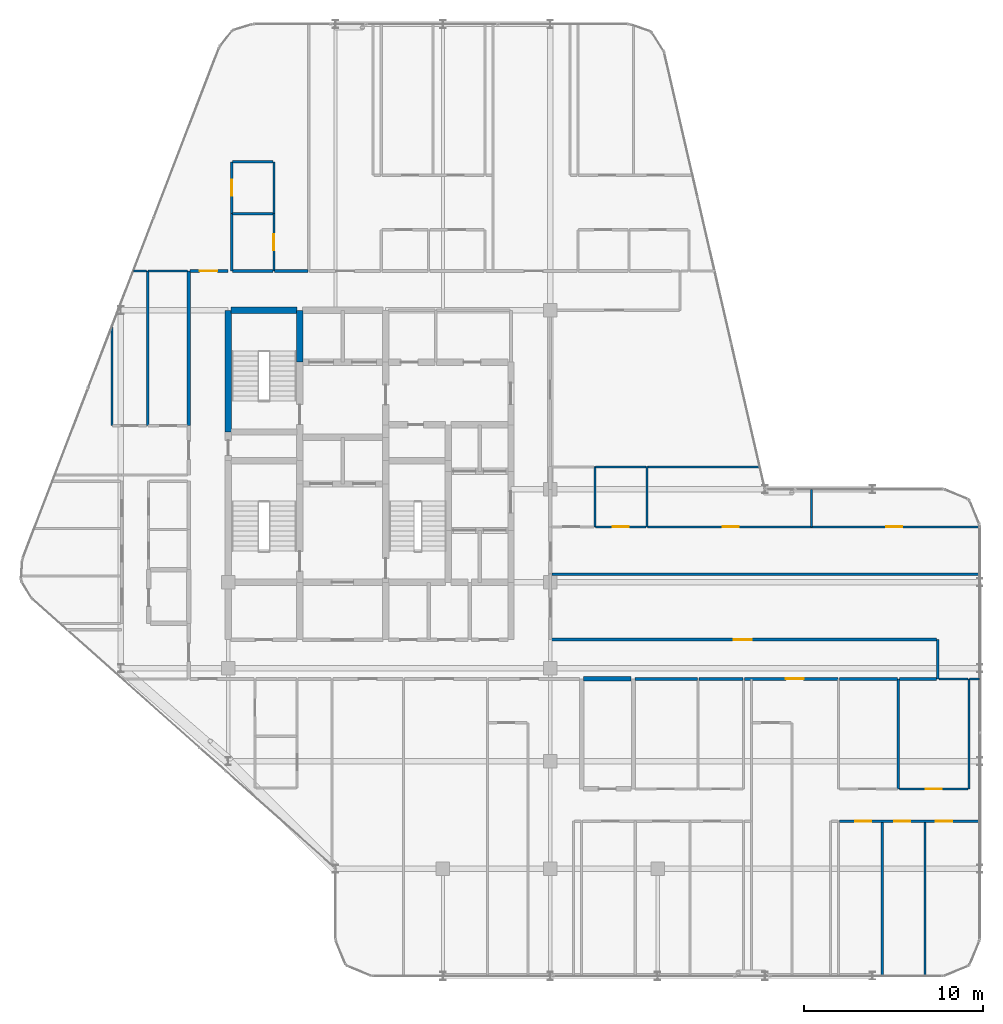
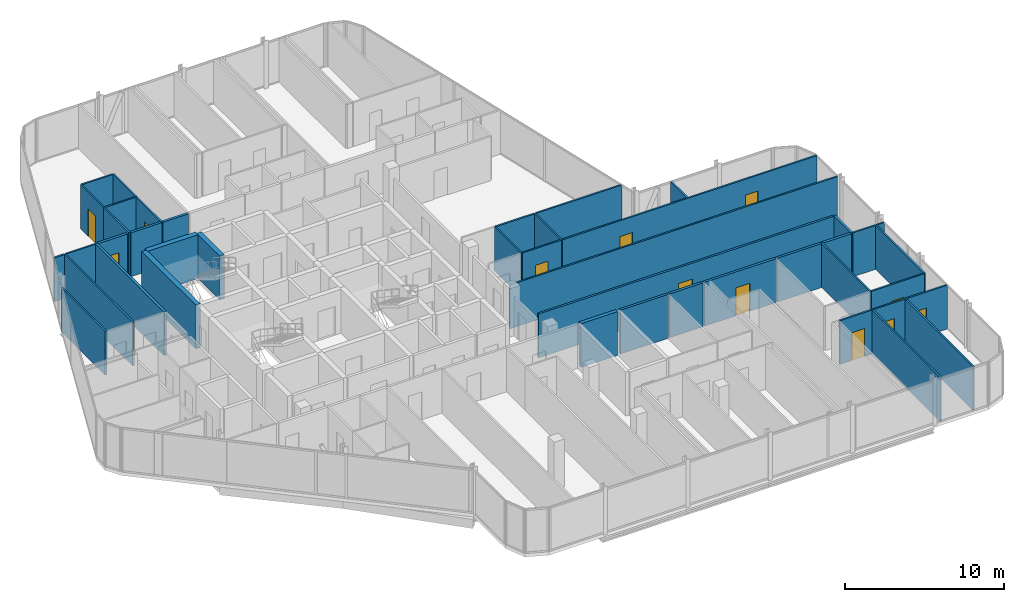
# One storey, part 26 of 29: 41 walls, 12 doors, 12 openings.
"""IFC4 building model written with IfcOpenShell, lengths in metres."""

from ifc_helpers import new_model, si_unit, direction, frame, frame_2d, origin, place, context, subcontext, project, spatial, rectangle, extrude, material, layer, layer_set, type_object, element, fill, save


model = new_model("IFC4")

# Units and contexts
model_context = context("Model", 3, precision=1e-05, world=origin(), true_north=direction((0.0, 1.0)))
body_context = subcontext(model_context, "Body", "Model", "MODEL_VIEW")
ifc_project = project(units=[si_unit("LENGTHUNIT", "METRE"), si_unit("AREAUNIT", "SQUARE_METRE"), si_unit("VOLUMEUNIT", "CUBIC_METRE"), si_unit("PLANEANGLEUNIT", "RADIAN"), si_unit("MASSUNIT", "GRAM", prefix="KILO")], contexts=[model_context])

# Site, building, storey
site_placement = place(None, origin())
site = spatial("IfcSite", under=ifc_project, at=site_placement, CompositionType="ELEMENT")
building_placement = place(site_placement, origin())
building = spatial("IfcBuilding", under=site, at=building_placement, Name="Keshet Zoharim Tower", CompositionType="ELEMENT")
storey_placement = place(building_placement, frame((0.0, 0.0, 214.300048828125)))
storey = spatial("IfcBuildingStorey", under=building, at=storey_placement, Name="L53", CompositionType="ELEMENT", Elevation=214.300048828125)

# Wall
ifc_material_1 = material(Name="Gypsum Plasterboard", Category="gypsum")
ifc_layer_1 = layer(ifc_material_1, 0.14990234375)
ifc_layer_set_1 = layer_set([ifc_layer_1], Name="Gypsum Plasterboard")
wall_type_1 = type_object("IfcWallType", Name="WL-CLIN-150", PredefinedType="STANDARD", material=ifc_layer_set_1)
wall_1_placement = place(storey_placement, frame((54.64990234375, 17.31005859375, 0.0), z_axis=(0.0, 0.0, 1.0), x_axis=(0.0, 1.0, 0.0)))
element("IfcWall", 1, at=wall_1_placement, inside=storey, type_object=wall_type_1, Name="L53 Interior Wall 101", PredefinedType="STANDARD", context=body_context, shape_type="SweptSolid", body=[
    extrude(rectangle(XDim=2.18994140625, YDim=0.14990234375, at=frame_2d((1.094970703125, 0.0))), origin(), (0.0, 0.0, 1.0), 3.3798828125),
])

# Wall, opening, door
wall_2_placement = place(storey_placement, frame((33.070068359375, 19.5, 0.0), z_axis=(0.0, 0.0, 1.0), x_axis=(1.0, 0.0, 0.0)))
wall_2 = element("IfcWall", 2, at=wall_2_placement, inside=storey, type_object=wall_type_1, Name="L53 Interior Wall 136", PredefinedType="STANDARD", context=body_context, shape_type="SweptSolid", body=[
    extrude(rectangle(XDim=21.510009765625, YDim=0.14990234375, at=frame_2d((10.7548828125, 0.0))), origin(), (0.0, 0.0, 1.0), 3.3798828125),
])
opening_1_placement = place(wall_2_placement, frame((10.18505859375, 0.0, 0.0)))
opening_1 = element("IfcOpeningElement", 3, at=opening_1_placement, cuts=wall_2, Name="Opening D-F310", PredefinedType="OPENING", context=body_context, shape_type="SweptSolid", body=[
    extrude(rectangle(XDim=1.0, YDim=2.14990234375, at=frame_2d((0.5, 1.074951171875))), frame((0.0, 0.0849609375, 0.0), z_axis=(0.0, -1.0, 0.0), x_axis=(1.0, 0.0, 0.0)), (0.0, 0.0, 1.0), 0.169921875),
])
ifc_material_2 = material(Name="Hardwood Timber", Category="wood")
door_type_1 = type_object("IfcDoorType", Name="DR-FD30-100", OperationType="NOTDEFINED", PredefinedType="DOOR", material=ifc_material_2)
door_1_placement = place(opening_1_placement, origin())
door_1 = element("IfcDoor", 4, at=door_1_placement, inside=storey, type_object=door_type_1, Name="L53 South East Residents Services Suite Door 1", OperationType="SINGLE_SWING_LEFT", OverallHeight=2.14990234375, OverallWidth=1.0, PredefinedType="DOOR", context=body_context, shape_type="SweptSolid", body=[
    extrude(rectangle(XDim=1.0, YDim=2.14990234375, at=frame_2d((0.5, 1.074951171875))), frame((0.0, 0.02490234375, 0.0), z_axis=(0.0, -1.0, 0.0), x_axis=(1.0, 0.0, 0.0)), (0.0, 0.0, 1.0), 0.050048828125),
])
fill(opening_1, door_1)

# Walls
ifc_material_3 = material(Name="Concrete C60/75", Category="concrete")
ifc_layer_2 = layer(ifc_material_3, 0.35009765625)
ifc_layer_set_2 = layer_set([ifc_layer_2], Name="Concrete C60/75")
wall_type_2 = type_object("IfcWallType", Name="WL-CORE-350", PredefinedType="SHEAR", material=ifc_layer_set_2)
wall_3_placement = place(storey_placement, frame((15.0, 31.10009765625, 0.0), z_axis=(0.0, 0.0, 1.0), x_axis=(0.0, 1.0, 0.0)))
element("IfcWall", 5, at=wall_3_placement, inside=storey, type_object=wall_type_2, Name="L53 Core Shear Wall 016", PredefinedType="SHEAR", context=body_context, shape_type="SweptSolid", body=[
    extrude(rectangle(XDim=6.7998046875, YDim=0.35009765625, at=frame_2d((3.39990234375, 0.0))), origin(), (0.0, 0.0, 1.0), 3.3798828125),
])
wall_4_placement = place(storey_placement, frame((19.0, 35.0, 0.0), z_axis=(0.0, 0.0, 1.0), x_axis=(0.0, 1.0, 0.0)))
element("IfcWall", 6, at=wall_4_placement, inside=storey, type_object=wall_type_2, Name="L53 Core Shear Wall 029", PredefinedType="SHEAR", context=body_context, shape_type="SweptSolid", body=[
    extrude(rectangle(XDim=2.89990234375, YDim=0.35009765625, at=frame_2d((1.449951171875, 0.0))), origin(), (0.0, 0.0, 1.0), 3.3798828125),
])
wall_5_placement = place(storey_placement, frame((15.159912109375, 37.89990234375, 0.0), z_axis=(0.0, 0.0, 1.0), x_axis=(1.0, 0.0, 0.0)))
element("IfcWall", 7, at=wall_5_placement, inside=storey, type_object=wall_type_2, Name="L53 Core Shear Wall 174", PredefinedType="SHEAR", context=body_context, shape_type="SweptSolid", body=[
    extrude(rectangle(XDim=3.68017578125, YDim=0.35009765625, at=frame_2d((1.840087890625, 0.0))), origin(), (0.0, 0.0, 1.0), 3.3798828125),
])
ifc_layer_3 = layer(ifc_material_1, 0.179931640625)
ifc_layer_set_3 = layer_set([ifc_layer_3], Name="Gypsum Plasterboard")
wall_type_3 = type_object("IfcWallType", Name="WL-CORR-180", PredefinedType="STANDARD", material=ifc_layer_set_3)
wall_6_placement = place(storey_placement, frame((12.800048828125, 31.449951171875, 0.0), z_axis=(0.0, 0.0, 1.0), x_axis=(0.0, 1.0, 0.0)))
element("IfcWall", 8, at=wall_6_placement, inside=storey, type_object=wall_type_3, Name="L53 Interior Wall 012", PredefinedType="STANDARD", context=body_context, shape_type="SweptSolid", body=[
    extrude(rectangle(XDim=8.650146484375, YDim=0.179931640625, at=frame_2d((4.3251953125, 0.0))), origin(), (0.0, 0.0, 1.0), 3.3798828125),
])
wall_7_placement = place(storey_placement, frame((37.740966796875, 17.300048828125, 0.0), z_axis=(0.0, 0.0, 1.0), x_axis=(1.0, 0.0, 0.0)))
element("IfcWall", 9, at=wall_7_placement, inside=storey, type_object=wall_type_3, Name="L53 Interior Wall 125", PredefinedType="STANDARD", context=body_context, shape_type="SweptSolid", body=[
    extrude(rectangle(XDim=3.487060546875, YDim=0.179931640625, at=frame_2d((1.74365234375, 0.0))), origin(), (0.0, 0.0, 1.0), 3.3798828125),
])
wall_8_placement = place(storey_placement, frame((41.318115234375, 17.300048828125, 0.0), z_axis=(0.0, 0.0, 1.0), x_axis=(1.0, 0.0, 0.0)))
element("IfcWall", 10, at=wall_8_placement, inside=storey, type_object=wall_type_3, Name="L53 Interior Wall 126", PredefinedType="STANDARD", context=body_context, shape_type="SweptSolid", body=[
    extrude(rectangle(XDim=2.44677734375, YDim=0.179931640625, at=frame_2d((1.223388671875, 0.0))), origin(), (0.0, 0.0, 1.0), 3.3798828125),
])

# Wall, opening, door
wall_9_placement = place(storey_placement, frame((43.85498046875, 17.300048828125, 0.0), z_axis=(0.0, 0.0, 1.0), x_axis=(1.0, 0.0, 0.0)))
wall_9 = element("IfcWall", 11, at=wall_9_placement, inside=storey, type_object=wall_type_3, Name="L53 Interior Wall 127", PredefinedType="STANDARD", context=body_context, shape_type="SweptSolid", body=[
    extrude(rectangle(XDim=5.2099609375, YDim=0.179931640625, at=frame_2d((2.60498046875, 0.0))), origin(), (0.0, 0.0, 1.0), 3.3798828125),
])
opening_2_placement = place(wall_9_placement, frame((2.304931640625, 0.0, 0.0)))
opening_2 = element("IfcOpeningElement", 12, at=opening_2_placement, cuts=wall_9, Name="Opening D-F310", PredefinedType="OPENING", context=body_context, shape_type="SweptSolid", body=[
    extrude(rectangle(XDim=1.0, YDim=2.14990234375, at=frame_2d((0.5, 1.074951171875))), frame((0.0, 0.10009765625, 0.0), z_axis=(0.0, -1.0, 0.0), x_axis=(1.0, 0.0, 0.0)), (0.0, 0.0, 1.0), 0.199951171875),
])
door_2_placement = place(opening_2_placement, origin())
door_2 = element("IfcDoor", 13, at=door_2_placement, inside=storey, type_object=door_type_1, Name="Apartment 5303 Entrance Door", OperationType="SINGLE_SWING_LEFT", OverallHeight=2.14990234375, OverallWidth=1.0, PredefinedType="DOOR", context=body_context, shape_type="SweptSolid", body=[
    extrude(rectangle(XDim=1.0, YDim=2.14990234375, at=frame_2d((0.5, 1.074951171875))), frame((0.0, 0.02490234375, 0.0), z_axis=(0.0, -1.0, 0.0), x_axis=(1.0, 0.0, 0.0)), (0.0, 0.0, 1.0), 0.050048828125),
])
fill(opening_2, door_2)

# Walls
wall_10_placement = place(storey_placement, frame((49.155029296875, 17.300048828125, 0.0), z_axis=(0.0, 0.0, 1.0), x_axis=(1.0, 0.0, 0.0)))
element("IfcWall", 14, at=wall_10_placement, inside=storey, type_object=wall_type_3, Name="L53 Interior Wall 128", PredefinedType="STANDARD", context=body_context, shape_type="SweptSolid", body=[
    extrude(rectangle(XDim=3.259033203125, YDim=0.179931640625, at=frame_2d((1.62939453125, 0.0))), origin(), (0.0, 0.0, 1.0), 3.3798828125),
])
wall_11_placement = place(storey_placement, frame((52.50390625, 17.300048828125, 0.0), z_axis=(0.0, 0.0, 1.0), x_axis=(1.0, 0.0, 0.0)))
element("IfcWall", 15, at=wall_11_placement, inside=storey, type_object=wall_type_3, Name="L53 Interior Wall 129", PredefinedType="STANDARD", context=body_context, shape_type="SweptSolid", body=[
    extrude(rectangle(XDim=2.076171875, YDim=0.179931640625, at=frame_2d((1.0380859375, 0.0))), origin(), (0.0, 0.0, 1.0), 3.3798828125),
])

# Wall, opening, door
wall_12_placement = place(storey_placement, frame((12.875, 40.10009765625, 0.0), z_axis=(0.0, 0.0, 1.0), x_axis=(1.0, 0.0, 0.0)))
wall_12 = element("IfcWall", 16, at=wall_12_placement, inside=storey, type_object=wall_type_3, Name="L53 Interior Wall 181", PredefinedType="STANDARD", context=body_context, shape_type="SweptSolid", body=[
    extrude(rectangle(XDim=2.125, YDim=0.179931640625, at=frame_2d((1.0625, 0.0))), origin(), (0.0, 0.0, 1.0), 3.3798828125),
])
opening_3_placement = place(wall_12_placement, frame((0.52490234375, 0.0, 0.0)))
opening_3 = element("IfcOpeningElement", 17, at=opening_3_placement, cuts=wall_12, Name="Opening D-F310", PredefinedType="OPENING", context=body_context, shape_type="SweptSolid", body=[
    extrude(rectangle(XDim=1.0, YDim=2.14990234375, at=frame_2d((0.5, 1.074951171875))), frame((0.0, 0.10009765625, 0.0), z_axis=(0.0, -1.0, 0.0), x_axis=(1.0, 0.0, 0.0)), (0.0, 0.0, 1.0), 0.199951171875),
])
door_3_placement = place(opening_3_placement, origin())
door_3 = element("IfcDoor", 18, at=door_3_placement, inside=storey, type_object=door_type_1, Name="Apartment 5304 Entrance Door", OperationType="SINGLE_SWING_LEFT", OverallHeight=2.14990234375, OverallWidth=1.0, PredefinedType="DOOR", context=body_context, shape_type="SweptSolid", body=[
    extrude(rectangle(XDim=1.0, YDim=2.14990234375, at=frame_2d((0.5, 1.074951171875))), frame((0.0, 0.02490234375, 0.0), z_axis=(0.0, -1.0, 0.0), x_axis=(1.0, 0.0, 0.0)), (0.0, 0.0, 1.0), 0.050048828125),
])
fill(opening_3, door_3)

# Walls
wall_13_placement = place(storey_placement, frame((15.2451171875, 40.10009765625, 0.0), z_axis=(0.0, 0.0, 1.0), x_axis=(1.0, 0.0, 0.0)))
element("IfcWall", 19, at=wall_13_placement, inside=storey, type_object=wall_type_3, Name="L53 Interior Wall 182", PredefinedType="STANDARD", context=body_context, shape_type="SweptSolid", body=[
    extrude(rectangle(XDim=2.259765625, YDim=0.179931640625, at=frame_2d((1.1298828125, 0.0))), origin(), (0.0, 0.0, 1.0), 3.3798828125),
])
wall_14_placement = place(storey_placement, frame((17.594970703125, 40.10009765625, 0.0), z_axis=(0.0, 0.0, 1.0), x_axis=(1.0, 0.0, 0.0)))
element("IfcWall", 20, at=wall_14_placement, inside=storey, type_object=wall_type_3, Name="L53 Interior Wall 183", PredefinedType="STANDARD", context=body_context, shape_type="SweptSolid", body=[
    extrude(rectangle(XDim=1.8701171875, YDim=0.179931640625, at=frame_2d((0.93505859375, 0.0))), origin(), (0.0, 0.0, 1.0), 3.3798828125),
])
ifc_material_4 = material(Name="Concrete C50/60", Category="concrete")
ifc_layer_4 = layer(ifc_material_4, 0.25)
ifc_layer_set_4 = layer_set([ifc_layer_4], Name="Concrete C50/60")
wall_type_4 = type_object("IfcWallType", Name="WL-MAMAD-250", PredefinedType="STANDARD", material=ifc_layer_set_4)
wall_15_placement = place(storey_placement, frame((34.860107421875, 17.300048828125, 0.0), z_axis=(0.0, 0.0, 1.0), x_axis=(1.0, 0.0, 0.0)))
element("IfcWall", 21, at=wall_15_placement, inside=storey, type_object=wall_type_4, Name="L53 Interior Wall 124", PredefinedType="STANDARD", context=body_context, shape_type="SweptSolid", body=[
    extrude(rectangle(XDim=2.660888671875, YDim=0.25, at=frame_2d((1.33056640625, 0.0))), origin(), (0.0, 0.0, 1.0), 3.3798828125),
])
ifc_layer_5 = layer(ifc_material_1, 0.1201171875)
ifc_layer_set_5 = layer_set([ifc_layer_5], Name="Gypsum Plasterboard")
wall_type_5 = type_object("IfcWallType", Name="WL-PART-120", PredefinedType="PARTITIONING", material=ifc_layer_set_5)
wall_16_placement = place(storey_placement, frame((8.5, 31.449951171875, 0.0), z_axis=(0.0, 0.0, 1.0), x_axis=(0.0, 1.0, 0.0)))
element("IfcWall", 22, at=wall_16_placement, inside=storey, type_object=wall_type_5, Name="L53 Interior Wall 001", PredefinedType="PARTITIONING", context=body_context, shape_type="SweptSolid", body=[
    extrude(rectangle(XDim=5.5400390625, YDim=0.1201171875, at=frame_2d((2.77001953125, 0.0))), origin(), (0.0, 0.0, 1.0), 3.3798828125),
])
wall_17_placement = place(storey_placement, frame((15.199951171875, 40.10009765625, 0.0), z_axis=(0.0, 0.0, 1.0), x_axis=(0.0, 1.0, 0.0)))
element("IfcWall", 23, at=wall_17_placement, inside=storey, type_object=wall_type_5, Name="L53 Interior Wall 017", PredefinedType="PARTITIONING", context=body_context, shape_type="SweptSolid", body=[
    extrude(rectangle(XDim=3.199951171875, YDim=0.1201171875, at=frame_2d((1.60009765625, 0.0))), origin(), (0.0, 0.0, 1.0), 3.3798828125),
])

# Wall, opening, door
wall_18_placement = place(storey_placement, frame((17.550048828125, 40.10009765625, 0.0), z_axis=(0.0, 0.0, 1.0), x_axis=(0.0, 1.0, 0.0)))
wall_18 = element("IfcWall", 24, at=wall_18_placement, inside=storey, type_object=wall_type_5, Name="L53 Interior Wall 021", PredefinedType="PARTITIONING", context=body_context, shape_type="SweptSolid", body=[
    extrude(rectangle(XDim=3.199951171875, YDim=0.1201171875, at=frame_2d((1.60009765625, 0.0))), origin(), (0.0, 0.0, 1.0), 3.3798828125),
])
opening_4_placement = place(wall_18_placement, frame((1.14990234375, 0.0, 0.0)))
opening_4 = element("IfcOpeningElement", 25, at=opening_4_placement, cuts=wall_18, Name="Opening D-IN90", PredefinedType="OPENING", context=body_context, shape_type="SweptSolid", body=[
    extrude(rectangle(XDim=0.89990234375, YDim=2.14990234375, at=frame_2d((0.449951171875, 1.074951171875))), frame((0.0, 0.070068359375, 0.0), z_axis=(0.0, -1.0, 0.0), x_axis=(1.0, 0.0, 0.0)), (0.0, 0.0, 1.0), 0.14013671875),
])
door_type_2 = type_object("IfcDoorType", Name="DR-INT-090", OperationType="NOTDEFINED", PredefinedType="DOOR", material=ifc_material_2)
door_4_placement = place(opening_4_placement, origin())
door_4 = element("IfcDoor", 26, at=door_4_placement, inside=storey, type_object=door_type_2, Name="Apartment 5304 Kitchenette Door", OperationType="SINGLE_SWING_LEFT", OverallHeight=2.14990234375, OverallWidth=0.89990234375, PredefinedType="DOOR", context=body_context, shape_type="SweptSolid", body=[
    extrude(rectangle(XDim=0.89990234375, YDim=2.14990234375, at=frame_2d((0.449951171875, 1.074951171875))), frame((0.0, 0.02490234375, 0.0), z_axis=(0.0, -1.0, 0.0), x_axis=(1.0, 0.0, 0.0)), (0.0, 0.0, 1.0), 0.050048828125),
])
fill(opening_4, door_4)

# Walls
wall_19_placement = place(storey_placement, frame((47.60009765625, 25.780029296875, 0.0), z_axis=(0.0, 0.0, 1.0), x_axis=(0.0, 1.0, 0.0)))
element("IfcWall", 27, at=wall_19_placement, inside=storey, type_object=wall_type_5, Name="L53 Interior Wall 094", PredefinedType="PARTITIONING", context=body_context, shape_type="SweptSolid", body=[
    extrude(rectangle(XDim=2.10986328125, YDim=0.1201171875, at=frame_2d((1.054931640625, 0.0))), origin(), (0.0, 0.0, 1.0), 3.3798828125),
])
for number, where, z_axis, x_axis, name in (
    (28, (51.550048828125, 0.7099609375, 0.0), (0.0, 0.0, 1.0), (0.0, 1.0, 0.0), "L53 Interior Wall 098"),
    (29, (53.949951171875, 0.7099609375, 0.0), (0.0, 0.0, 1.0), (0.0, 1.0, 0.0), "L53 Interior Wall 100"),
):
    element("IfcWall", number, at=place(storey_placement, frame(where, z_axis=z_axis, x_axis=x_axis)), inside=storey, type_object=wall_type_5, Name=name, PredefinedType="PARTITIONING", context=body_context, shape_type="SweptSolid", body=[
        extrude(rectangle(XDim=8.64013671875, YDim=0.1201171875, at=frame_2d((4.320068359375, 0.0))), origin(), (0.0, 0.0, 1.0), 3.3798828125),
    ])

# Wall, openings, doors
wall_20_placement = place(storey_placement, frame((49.155029296875, 9.35009765625, 0.0), z_axis=(0.0, 0.0, 1.0), x_axis=(1.0, 0.0, 0.0)))
wall_20 = element("IfcWall", 30, at=wall_20_placement, inside=storey, type_object=wall_type_5, Name="L53 Interior Wall 107", PredefinedType="PARTITIONING", context=body_context, shape_type="SweptSolid", body=[
    extrude(rectangle(XDim=7.8349609375, YDim=0.1201171875, at=frame_2d((3.91748046875, 0.0))), origin(), (0.0, 0.0, 1.0), 3.3798828125),
])
opening_5_placement = place(wall_20_placement, frame((0.89306640625, 0.0, 0.0)))
opening_5 = element("IfcOpeningElement", 31, at=opening_5_placement, cuts=wall_20, Name="Opening D-IN90", PredefinedType="OPENING", context=body_context, shape_type="SweptSolid", body=[
    extrude(rectangle(XDim=0.89990234375, YDim=2.14990234375, at=frame_2d((0.449951171875, 1.074951171875))), frame((0.0, 0.070068359375, 0.0), z_axis=(0.0, -1.0, 0.0), x_axis=(1.0, 0.0, 0.0)), (0.0, 0.0, 1.0), 0.14013671875),
])
opening_6_placement = place(wall_20_placement, frame((3.072021484375, 0.0, 0.0)))
opening_6 = element("IfcOpeningElement", 32, at=opening_6_placement, cuts=wall_20, Name="Opening D-IN90", PredefinedType="OPENING", context=body_context, shape_type="SweptSolid", body=[
    extrude(rectangle(XDim=0.89990234375, YDim=2.14990234375, at=frame_2d((0.449951171875, 1.074951171875))), frame((0.0, 0.070068359375, 0.0), z_axis=(0.0, -1.0, 0.0), x_axis=(1.0, 0.0, 0.0)), (0.0, 0.0, 1.0), 0.14013671875),
])
opening_7_placement = place(wall_20_placement, frame((5.39697265625, 0.0, 0.0)))
opening_7 = element("IfcOpeningElement", 33, at=opening_7_placement, cuts=wall_20, Name="Opening D-IN90", PredefinedType="OPENING", context=body_context, shape_type="SweptSolid", body=[
    extrude(rectangle(XDim=0.89990234375, YDim=2.14990234375, at=frame_2d((0.449951171875, 1.074951171875))), frame((0.0, 0.070068359375, 0.0), z_axis=(0.0, -1.0, 0.0), x_axis=(1.0, 0.0, 0.0)), (0.0, 0.0, 1.0), 0.14013671875),
])
door_5_placement = place(opening_5_placement, origin())
door_5 = element("IfcDoor", 34, at=door_5_placement, inside=storey, type_object=door_type_2, Name="Apartment 5303 Bedroom 1 Door", OperationType="SINGLE_SWING_LEFT", OverallHeight=2.14990234375, OverallWidth=0.89990234375, PredefinedType="DOOR", context=body_context, shape_type="SweptSolid", body=[
    extrude(rectangle(XDim=0.89990234375, YDim=2.14990234375, at=frame_2d((0.449951171875, 1.074951171875))), frame((0.0, 0.02490234375, 0.0), z_axis=(0.0, -1.0, 0.0), x_axis=(1.0, 0.0, 0.0)), (0.0, 0.0, 1.0), 0.050048828125),
])
fill(opening_5, door_5)
door_6_placement = place(opening_6_placement, origin())
door_6 = element("IfcDoor", 35, at=door_6_placement, inside=storey, type_object=door_type_2, Name="Apartment 5303 Bedroom 2 Door", OperationType="SINGLE_SWING_RIGHT", OverallHeight=2.14990234375, OverallWidth=0.89990234375, PredefinedType="DOOR", context=body_context, shape_type="SweptSolid", body=[
    extrude(rectangle(XDim=0.89990234375, YDim=2.14990234375, at=frame_2d((0.449951171875, 1.074951171875))), frame((0.0, 0.02490234375, 0.0), z_axis=(0.0, -1.0, 0.0), x_axis=(1.0, 0.0, 0.0)), (0.0, 0.0, 1.0), 0.050048828125),
])
fill(opening_6, door_6)
door_7_placement = place(opening_7_placement, origin())
door_7 = element("IfcDoor", 36, at=door_7_placement, inside=storey, type_object=door_type_2, Name="Apartment 5303 Bedroom 3 Door", OperationType="SINGLE_SWING_LEFT", OverallHeight=2.14990234375, OverallWidth=0.89990234375, PredefinedType="DOOR", context=body_context, shape_type="SweptSolid", body=[
    extrude(rectangle(XDim=0.89990234375, YDim=2.14990234375, at=frame_2d((0.449951171875, 1.074951171875))), frame((0.0, 0.02490234375, 0.0), z_axis=(0.0, -1.0, 0.0), x_axis=(1.0, 0.0, 0.0)), (0.0, 0.0, 1.0), 0.050048828125),
])
fill(opening_7, door_7)

# Walls
wall_21_placement = place(storey_placement, frame((56.43505859375, 17.300048828125, 0.0), z_axis=(0.0, 0.0, 1.0), x_axis=(1.0, 0.0, 0.0)))
element("IfcWall", 37, at=wall_21_placement, inside=storey, type_object=wall_type_5, Name="L53 Interior Wall 131", PredefinedType="PARTITIONING", context=body_context, shape_type="SweptSolid", body=[
    extrude(rectangle(XDim=0.554931640625, YDim=0.1201171875, at=frame_2d((0.27734375, 0.0))), origin(), (0.0, 0.0, 1.0), 3.3798828125),
])
wall_22_placement = place(storey_placement, frame((33.0849609375, 23.14990234375, 0.0), z_axis=(0.0, 0.0, 1.0), x_axis=(1.0, 0.0, 0.0)))
element("IfcWall", 38, at=wall_22_placement, inside=storey, type_object=wall_type_5, Name="L53 Interior Wall 146", PredefinedType="PARTITIONING", context=body_context, shape_type="SweptSolid", body=[
    extrude(rectangle(XDim=23.905029296875, YDim=0.1201171875, at=frame_2d((11.95263671875, 0.0))), origin(), (0.0, 0.0, 1.0), 3.3798828125),
])

# Wall, openings, doors
wall_23_placement = place(storey_placement, frame((38.445068359375, 25.800048828125, 0.0), z_axis=(0.0, 0.0, 1.0), x_axis=(1.0, 0.0, 0.0)))
wall_23 = element("IfcWall", 39, at=wall_23_placement, inside=storey, type_object=wall_type_5, Name="L53 Interior Wall 153", PredefinedType="PARTITIONING", context=body_context, shape_type="SweptSolid", body=[
    extrude(rectangle(XDim=18.544921875, YDim=0.1201171875, at=frame_2d((9.2724609375, 0.0))), origin(), (0.0, 0.0, 1.0), 3.3798828125),
])
opening_8_placement = place(wall_23_placement, frame((4.18994140625, 0.0, 0.0)))
opening_8 = element("IfcOpeningElement", 40, at=opening_8_placement, cuts=wall_23, Name="Opening D-IN90", PredefinedType="OPENING", context=body_context, shape_type="SweptSolid", body=[
    extrude(rectangle(XDim=0.89990234375, YDim=2.14990234375, at=frame_2d((0.449951171875, 1.074951171875))), frame((0.0, 0.070068359375, 0.0), z_axis=(0.0, -1.0, 0.0), x_axis=(1.0, 0.0, 0.0)), (0.0, 0.0, 1.0), 0.14013671875),
])
opening_9_placement = place(wall_23_placement, frame((13.3349609375, 0.0, 0.0)))
opening_9 = element("IfcOpeningElement", 41, at=opening_9_placement, cuts=wall_23, Name="Opening D-IN90", PredefinedType="OPENING", context=body_context, shape_type="SweptSolid", body=[
    extrude(rectangle(XDim=0.89990234375, YDim=2.14990234375, at=frame_2d((0.449951171875, 1.074951171875))), frame((0.0, 0.070068359375, 0.0), z_axis=(0.0, -1.0, 0.0), x_axis=(1.0, 0.0, 0.0)), (0.0, 0.0, 1.0), 0.14013671875),
])
door_8_placement = place(opening_8_placement, origin())
door_8 = element("IfcDoor", 42, at=door_8_placement, inside=storey, type_object=door_type_2, Name="Apartment 5309 Bedroom 1 Door", OperationType="SINGLE_SWING_LEFT", OverallHeight=2.14990234375, OverallWidth=0.89990234375, PredefinedType="DOOR", context=body_context, shape_type="SweptSolid", body=[
    extrude(rectangle(XDim=0.89990234375, YDim=2.14990234375, at=frame_2d((0.449951171875, 1.074951171875))), frame((0.0, 0.02490234375, 0.0), z_axis=(0.0, -1.0, 0.0), x_axis=(1.0, 0.0, 0.0)), (0.0, 0.0, 1.0), 0.050048828125),
])
fill(opening_8, door_8)
door_9_placement = place(opening_9_placement, origin())
door_9 = element("IfcDoor", 43, at=door_9_placement, inside=storey, type_object=door_type_2, Name="Apartment 5309 Bedroom 2 Door", OperationType="SINGLE_SWING_RIGHT", OverallHeight=2.14990234375, OverallWidth=0.89990234375, PredefinedType="DOOR", context=body_context, shape_type="SweptSolid", body=[
    extrude(rectangle(XDim=0.89990234375, YDim=2.14990234375, at=frame_2d((0.449951171875, 1.074951171875))), frame((0.0, 0.02490234375, 0.0), z_axis=(0.0, -1.0, 0.0), x_axis=(1.0, 0.0, 0.0)), (0.0, 0.0, 1.0), 0.050048828125),
])
fill(opening_9, door_9)

# Walls
wall_24_placement = place(storey_placement, frame((38.445068359375, 29.14990234375, 0.0), z_axis=(0.0, 0.0, 1.0), x_axis=(1.0, 0.0, 0.0)))
element("IfcWall", 44, at=wall_24_placement, inside=storey, type_object=wall_type_5, Name="L53 Interior Wall 162", PredefinedType="PARTITIONING", context=body_context, shape_type="SweptSolid", body=[
    extrude(rectangle(XDim=6.2568359375, YDim=0.1201171875, at=frame_2d((3.12841796875, 0.0))), origin(), (0.0, 0.0, 1.0), 3.3798828125),
])
wall_25_placement = place(storey_placement, frame((9.701904296875, 40.10009765625, 0.0), z_axis=(0.0, 0.0, 1.0), x_axis=(1.0, 0.0, 0.0)))
element("IfcWall", 45, at=wall_25_placement, inside=storey, type_object=wall_type_5, Name="L53 Interior Wall 179", PredefinedType="PARTITIONING", context=body_context, shape_type="SweptSolid", body=[
    extrude(rectangle(XDim=0.731201171875, YDim=0.1201171875, at=frame_2d((0.36572265625, 0.0))), origin(), (0.0, 0.0, 1.0), 3.3798828125),
])
ifc_layer_6 = layer(ifc_material_1, 0.1201171875)
ifc_layer_set_6 = layer_set([ifc_layer_6], Name="Gypsum Plasterboard")
wall_type_6 = type_object("IfcWallType", Name="WL-WET-120", PredefinedType="PARTITIONING", material=ifc_layer_set_6)
wall_26_placement = place(storey_placement, frame((10.5, 31.449951171875, 0.0), z_axis=(0.0, 0.0, 1.0), x_axis=(0.0, 1.0, 0.0)))
element("IfcWall", 46, at=wall_26_placement, inside=storey, type_object=wall_type_6, Name="L53 Interior Wall 003", PredefinedType="PARTITIONING", context=body_context, shape_type="SweptSolid", body=[
    extrude(rectangle(XDim=8.650146484375, YDim=0.1201171875, at=frame_2d((4.3251953125, 0.0))), origin(), (0.0, 0.0, 1.0), 3.3798828125),
])

# Wall, opening, door
wall_27_placement = place(storey_placement, frame((15.199951171875, 43.300048828125, 0.0), z_axis=(0.0, 0.0, 1.0), x_axis=(0.0, 1.0, 0.0)))
wall_27 = element("IfcWall", 47, at=wall_27_placement, inside=storey, type_object=wall_type_6, Name="L53 Interior Wall 018", PredefinedType="PARTITIONING", context=body_context, shape_type="SweptSolid", body=[
    extrude(rectangle(XDim=2.89990234375, YDim=0.1201171875, at=frame_2d((1.449951171875, 0.0))), origin(), (0.0, 0.0, 1.0), 3.3798828125),
])
opening_10_placement = place(wall_27_placement, frame((1.0, 0.0, 0.0)))
opening_10 = element("IfcOpeningElement", 48, at=opening_10_placement, cuts=wall_27, Name="Opening D-WT90", PredefinedType="OPENING", context=body_context, shape_type="SweptSolid", body=[
    extrude(rectangle(XDim=0.89990234375, YDim=2.10009765625, at=frame_2d((0.449951171875, 1.050048828125))), frame((0.0, 0.070068359375, 0.0), z_axis=(0.0, -1.0, 0.0), x_axis=(1.0, 0.0, 0.0)), (0.0, 0.0, 1.0), 0.14013671875),
])
door_type_3 = type_object("IfcDoorType", Name="DR-WET-090", OperationType="NOTDEFINED", PredefinedType="DOOR", material=ifc_material_2)
door_10_placement = place(opening_10_placement, origin())
door_10 = element("IfcDoor", 49, at=door_10_placement, inside=storey, type_object=door_type_3, Name="Apartment 5304 Bathroom Door", OperationType="SINGLE_SWING_LEFT", OverallHeight=2.10009765625, OverallWidth=0.89990234375, PredefinedType="DOOR", context=body_context, shape_type="SweptSolid", body=[
    extrude(rectangle(XDim=0.89990234375, YDim=2.10009765625, at=frame_2d((0.449951171875, 1.050048828125))), frame((0.0, 0.02490234375, 0.0), z_axis=(0.0, -1.0, 0.0), x_axis=(1.0, 0.0, 0.0)), (0.0, 0.0, 1.0), 0.050048828125),
])
fill(opening_10, door_10)

# Walls
wall_28_placement = place(storey_placement, frame((17.550048828125, 43.300048828125, 0.0), z_axis=(0.0, 0.0, 1.0), x_axis=(0.0, 1.0, 0.0)))
element("IfcWall", 50, at=wall_28_placement, inside=storey, type_object=wall_type_6, Name="L53 Interior Wall 022", PredefinedType="PARTITIONING", context=body_context, shape_type="SweptSolid", body=[
    extrude(rectangle(XDim=2.89990234375, YDim=0.1201171875, at=frame_2d((1.449951171875, 0.0))), origin(), (0.0, 0.0, 1.0), 3.3798828125),
])
for number, where, z_axis, x_axis, name in (
    (51, (35.5, 25.780029296875, 0.0), (0.0, 0.0, 1.0), (0.0, 1.0, 0.0), "L53 Interior Wall 078"),
    (52, (38.39990234375, 25.780029296875, 0.0), (0.0, 0.0, 1.0), (0.0, 1.0, 0.0), "L53 Interior Wall 083"),
):
    element("IfcWall", number, at=place(storey_placement, frame(where, z_axis=z_axis, x_axis=x_axis)), inside=storey, type_object=wall_type_6, Name=name, PredefinedType="PARTITIONING", context=body_context, shape_type="SweptSolid", body=[
        extrude(rectangle(XDim=3.3798828125, YDim=0.1201171875, at=frame_2d((1.68994140625, 0.0))), origin(), (0.0, 0.0, 1.0), 3.3798828125),
    ])
for number, where, z_axis, x_axis, name in (
    (53, (52.449951171875, 11.14990234375, 0.0), (0.0, 0.0, 1.0), (0.0, 1.0, 0.0), "L53 Interior Wall 099"),
    (54, (56.39990234375, 11.14990234375, 0.0), (0.0, 0.0, 1.0), (0.0, 1.0, 0.0), "L53 Interior Wall 102"),
):
    element("IfcWall", number, at=place(storey_placement, frame(where, z_axis=z_axis, x_axis=x_axis)), inside=storey, type_object=wall_type_6, Name=name, PredefinedType="PARTITIONING", context=body_context, shape_type="SweptSolid", body=[
        extrude(rectangle(XDim=6.150146484375, YDim=0.1201171875, at=frame_2d((3.0751953125, 0.0))), origin(), (0.0, 0.0, 1.0), 3.3798828125),
    ])

# Wall, opening, door
wall_29_placement = place(storey_placement, frame((52.50390625, 11.14990234375, 0.0), z_axis=(0.0, 0.0, 1.0), x_axis=(1.0, 0.0, 0.0)))
wall_29 = element("IfcWall", 55, at=wall_29_placement, inside=storey, type_object=wall_type_6, Name="L53 Interior Wall 112", PredefinedType="PARTITIONING", context=body_context, shape_type="SweptSolid", body=[
    extrude(rectangle(XDim=3.841064453125, YDim=0.1201171875, at=frame_2d((1.92041015625, 0.0))), origin(), (0.0, 0.0, 1.0), 3.3798828125),
])
opening_11_placement = place(wall_29_placement, frame((1.470947265625, 0.0, 0.0)))
opening_11 = element("IfcOpeningElement", 56, at=opening_11_placement, cuts=wall_29, Name="Opening D-WT90", PredefinedType="OPENING", context=body_context, shape_type="SweptSolid", body=[
    extrude(rectangle(XDim=0.89990234375, YDim=2.10009765625, at=frame_2d((0.449951171875, 1.050048828125))), frame((0.0, 0.070068359375, 0.0), z_axis=(0.0, -1.0, 0.0), x_axis=(1.0, 0.0, 0.0)), (0.0, 0.0, 1.0), 0.14013671875),
])
door_11_placement = place(opening_11_placement, origin())
door_11 = element("IfcDoor", 57, at=door_11_placement, inside=storey, type_object=door_type_3, Name="Apartment 5303 Bathroom Door", OperationType="SINGLE_SWING_RIGHT", OverallHeight=2.10009765625, OverallWidth=0.89990234375, PredefinedType="DOOR", context=body_context, shape_type="SweptSolid", body=[
    extrude(rectangle(XDim=0.89990234375, YDim=2.10009765625, at=frame_2d((0.449951171875, 1.050048828125))), frame((0.0, 0.02490234375, 0.0), z_axis=(0.0, -1.0, 0.0), x_axis=(1.0, 0.0, 0.0)), (0.0, 0.0, 1.0), 0.050048828125),
])
fill(opening_11, door_11)

# Wall
wall_30_placement = place(storey_placement, frame((54.7099609375, 17.300048828125, 0.0), z_axis=(0.0, 0.0, 1.0), x_axis=(1.0, 0.0, 0.0)))
element("IfcWall", 58, at=wall_30_placement, inside=storey, type_object=wall_type_6, Name="L53 Interior Wall 130", PredefinedType="PARTITIONING", context=body_context, shape_type="SweptSolid", body=[
    extrude(rectangle(XDim=1.635009765625, YDim=0.1201171875, at=frame_2d((0.8173828125, 0.0))), origin(), (0.0, 0.0, 1.0), 3.3798828125),
])

# Wall, opening, door
wall_31_placement = place(storey_placement, frame((35.529052734375, 25.800048828125, 0.0), z_axis=(0.0, 0.0, 1.0), x_axis=(1.0, 0.0, 0.0)))
wall_31 = element("IfcWall", 59, at=wall_31_placement, inside=storey, type_object=wall_type_6, Name="L53 Interior Wall 152", PredefinedType="PARTITIONING", context=body_context, shape_type="SweptSolid", body=[
    extrude(rectangle(XDim=2.825927734375, YDim=0.1201171875, at=frame_2d((1.4130859375, 0.0))), origin(), (0.0, 0.0, 1.0), 3.3798828125),
])
opening_12_placement = place(wall_31_placement, frame((0.962890625, 0.0, 0.0)))
opening_12 = element("IfcOpeningElement", 60, at=opening_12_placement, cuts=wall_31, Name="Opening D-WT90", PredefinedType="OPENING", context=body_context, shape_type="SweptSolid", body=[
    extrude(rectangle(XDim=0.89990234375, YDim=2.10009765625, at=frame_2d((0.449951171875, 1.050048828125))), frame((0.0, 0.070068359375, 0.0), z_axis=(0.0, -1.0, 0.0), x_axis=(1.0, 0.0, 0.0)), (0.0, 0.0, 1.0), 0.14013671875),
])
door_12_placement = place(opening_12_placement, origin())
door_12 = element("IfcDoor", 61, at=door_12_placement, inside=storey, type_object=door_type_3, Name="Apartment 5309 Bathroom Door", OperationType="SINGLE_SWING_RIGHT", OverallHeight=2.10009765625, OverallWidth=0.89990234375, PredefinedType="DOOR", context=body_context, shape_type="SweptSolid", body=[
    extrude(rectangle(XDim=0.89990234375, YDim=2.10009765625, at=frame_2d((0.449951171875, 1.050048828125))), frame((0.0, 0.02490234375, 0.0), z_axis=(0.0, -1.0, 0.0), x_axis=(1.0, 0.0, 0.0)), (0.0, 0.0, 1.0), 0.050048828125),
])
fill(opening_12, door_12)

# Walls
wall_32_placement = place(storey_placement, frame((35.529052734375, 29.14990234375, 0.0), z_axis=(0.0, 0.0, 1.0), x_axis=(1.0, 0.0, 0.0)))
element("IfcWall", 62, at=wall_32_placement, inside=storey, type_object=wall_type_6, Name="L53 Interior Wall 161", PredefinedType="PARTITIONING", context=body_context, shape_type="SweptSolid", body=[
    extrude(rectangle(XDim=2.825927734375, YDim=0.1201171875, at=frame_2d((1.4130859375, 0.0))), origin(), (0.0, 0.0, 1.0), 3.3798828125),
])
wall_33_placement = place(storey_placement, frame((10.52294921875, 40.10009765625, 0.0), z_axis=(0.0, 0.0, 1.0), x_axis=(1.0, 0.0, 0.0)))
element("IfcWall", 63, at=wall_33_placement, inside=storey, type_object=wall_type_6, Name="L53 Interior Wall 180", PredefinedType="PARTITIONING", context=body_context, shape_type="SweptSolid", body=[
    extrude(rectangle(XDim=2.2021484375, YDim=0.1201171875, at=frame_2d((1.10107421875, 0.0))), origin(), (0.0, 0.0, 1.0), 3.3798828125),
])
for number, where, z_axis, x_axis, name in (
    (64, (15.2451171875, 43.300048828125, 0.0), (0.0, 0.0, 1.0), (1.0, 0.0, 0.0), "L53 Interior Wall 197"),
    (65, (15.2451171875, 46.199951171875, 0.0), (0.0, 0.0, 1.0), (1.0, 0.0, 0.0), "L53 Interior Wall 203"),
):
    element("IfcWall", number, at=place(storey_placement, frame(where, z_axis=z_axis, x_axis=x_axis)), inside=storey, type_object=wall_type_6, Name=name, PredefinedType="PARTITIONING", context=body_context, shape_type="SweptSolid", body=[
        extrude(rectangle(XDim=2.259765625, YDim=0.1201171875, at=frame_2d((1.1298828125, 0.0))), origin(), (0.0, 0.0, 1.0), 3.3798828125),
    ])

save(model, "model.ifc")
